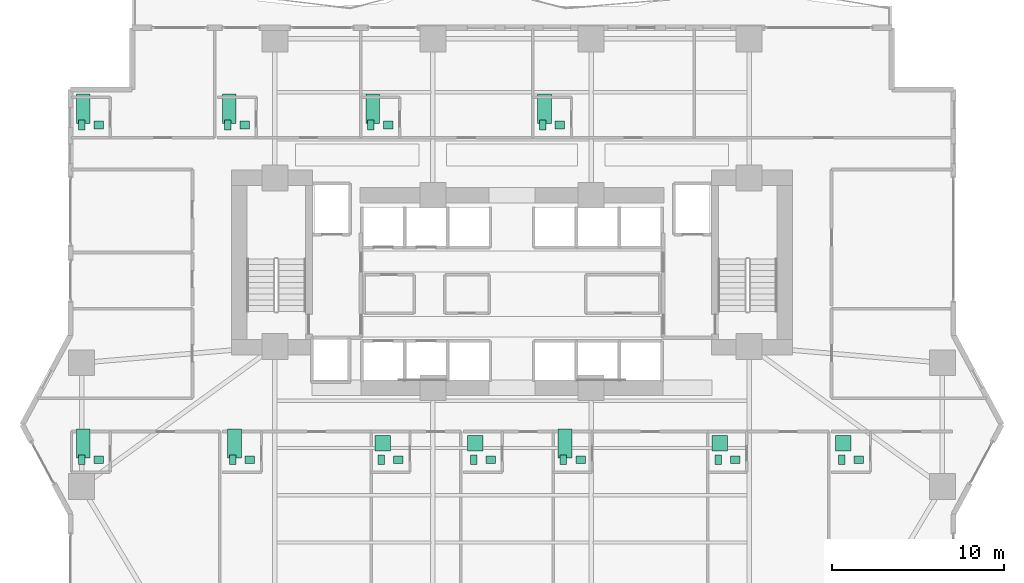
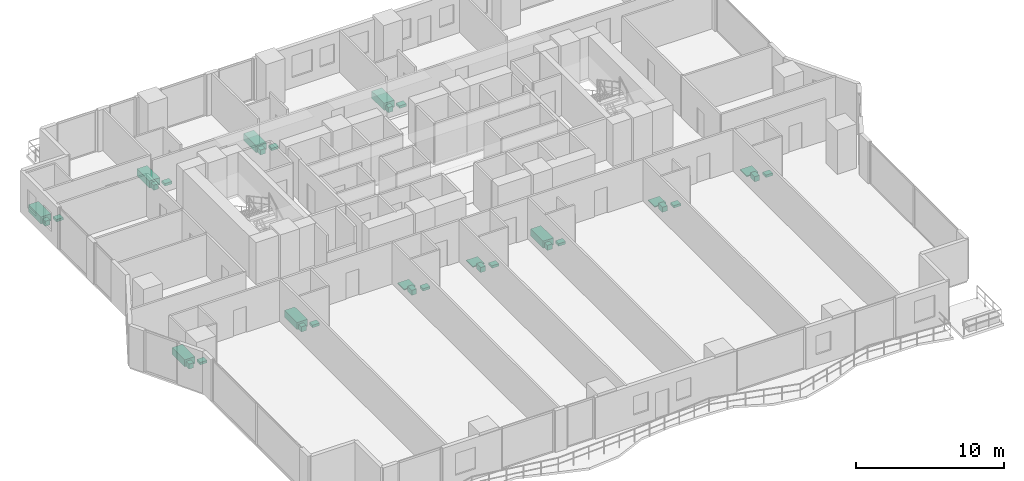
# One storey, part 29 of 29: 33 sanitary terminals.
"""IFC4 building model written with IfcOpenShell, lengths in metres."""

from ifc_helpers import new_model, si_unit, direction, frame, origin, origin_2d, place, context, subcontext, project, spatial, rectangle, extrude, material, type_object, element, save


model = new_model("IFC4")

# Units and contexts
model_context = context("Model", 3, precision=1e-05, world=origin(), true_north=direction((0.0, 1.0)))
body_context = subcontext(model_context, "Body", "Model", "MODEL_VIEW")
ifc_project = project(units=[si_unit("LENGTHUNIT", "METRE"), si_unit("AREAUNIT", "SQUARE_METRE"), si_unit("VOLUMEUNIT", "CUBIC_METRE"), si_unit("PLANEANGLEUNIT", "RADIAN"), si_unit("MASSUNIT", "GRAM", prefix="KILO")], contexts=[model_context])

# Site, building, storey
site_placement = place(None, origin())
site = spatial("IfcSite", under=ifc_project, at=site_placement, CompositionType="ELEMENT")
building_placement = place(site_placement, origin())
building = spatial("IfcBuilding", under=site, at=building_placement, Name="Zuhayl Quay Hotel", CompositionType="ELEMENT")
storey_placement = place(building_placement, frame((0.0, 0.0, 42.199951171875)))
storey = spatial("IfcBuildingStorey", under=building, at=storey_placement, Name="L09", CompositionType="ELEMENT", Elevation=42.199951171875)

# Sanitary terminals
ifc_material = material(Name="Vitreous Porcelain Sanitaryware")
sanitary_terminal_type_1 = type_object("IfcSanitaryTerminalType", Name="SAN_BASIN", PredefinedType="WASHHANDBASIN", material=ifc_material)
for number, where, z_axis, x_axis, name in (
    (1, (-24.050048828125, 17.43994140625, 0.0), (0.0, 0.0, 1.0), (1.0, 0.0, 0.0), "L09 Sanitary Fixture WASHHANDBASIN"),
    (2, (-15.550048828125, 17.43994140625, 0.0), (0.0, 0.0, 1.0), (1.0, 0.0, 0.0), "L09 Sanitary Fixture WASHHANDBASIN"),
    (3, (-7.2099609375, 17.43994140625, 0.0), (0.0, 0.0, 1.0), (1.0, 0.0, 0.0), "L09 Sanitary Fixture WASHHANDBASIN"),
    (4, (2.7900390625, 17.43994140625, 0.0), (0.0, 0.0, 1.0), (1.0, 0.0, 0.0), "L09 Sanitary Fixture WASHHANDBASIN"),
    (5, (-24.050048828125, -2.0400390625, 0.0), (0.0, 0.0, 1.0), (1.0, 0.0, 0.0), "L09 Sanitary Fixture WASHHANDBASIN"),
    (6, (-15.25, -2.0400390625, 0.0), (0.0, 0.0, 1.0), (1.0, 0.0, 0.0), "L09 Sanitary Fixture WASHHANDBASIN"),
    (7, (-6.610107421875, -2.0400390625, 0.0), (0.0, 0.0, 1.0), (1.0, 0.0, 0.0), "L09 Sanitary Fixture WASHHANDBASIN"),
    (8, (-1.22998046875, -2.0400390625, 0.0), (0.0, 0.0, 1.0), (1.0, 0.0, 0.0), "L09 Sanitary Fixture WASHHANDBASIN"),
    (9, (3.989990234375, -2.0400390625, 0.0), (0.0, 0.0, 1.0), (1.0, 0.0, 0.0), "L09 Sanitary Fixture WASHHANDBASIN"),
    (10, (12.989990234375, -2.0400390625, 0.0), (0.0, 0.0, 1.0), (1.0, 0.0, 0.0), "L09 Sanitary Fixture WASHHANDBASIN"),
    (11, (20.18994140625, -2.0400390625, 0.0), (0.0, 0.0, 1.0), (1.0, 0.0, 0.0), "L09 Sanitary Fixture WASHHANDBASIN"),
):
    element("IfcSanitaryTerminal", number, at=place(storey_placement, frame(where, z_axis=z_axis, x_axis=x_axis)), inside=storey, type_object=sanitary_terminal_type_1, Name=name, PredefinedType="WASHHANDBASIN", context=body_context, shape_type="SweptSolid", body=[
        extrude(rectangle(XDim=0.550048828125, YDim=0.449951171875, at=origin_2d()), origin(), (0.0, 0.0, 1.0), 0.199951171875),
    ])
sanitary_terminal_type_2 = type_object("IfcSanitaryTerminalType", Name="SAN_BATH", PredefinedType="BATH", material=ifc_material)
for number, where, z_axis, x_axis, name in (
    (12, (-24.949951171875, 18.389892578125, 0.0), (0.0, 0.0, 1.0), (1.0, 0.0, 0.0), "L09 Sanitary Fixture BATH"),
    (13, (-16.449951171875, 18.389892578125, 0.0), (0.0, 0.0, 1.0), (1.0, 0.0, 0.0), "L09 Sanitary Fixture BATH"),
    (14, (-8.110107421875, 18.389892578125, 0.0), (0.0, 0.0, 1.0), (1.0, 0.0, 0.0), "L09 Sanitary Fixture BATH"),
    (15, (1.889892578125, 18.389892578125, 0.0), (0.0, 0.0, 1.0), (1.0, 0.0, 0.0), "L09 Sanitary Fixture BATH"),
    (16, (-24.949951171875, -1.090087890625, 0.0), (0.0, 0.0, 1.0), (1.0, 0.0, 0.0), "L09 Sanitary Fixture BATH"),
    (17, (-16.14990234375, -1.090087890625, 0.0), (0.0, 0.0, 1.0), (1.0, 0.0, 0.0), "L09 Sanitary Fixture BATH"),
    (18, (3.090087890625, -1.090087890625, 0.0), (0.0, 0.0, 1.0), (1.0, 0.0, 0.0), "L09 Sanitary Fixture BATH"),
):
    element("IfcSanitaryTerminal", number, at=place(storey_placement, frame(where, z_axis=z_axis, x_axis=x_axis)), inside=storey, type_object=sanitary_terminal_type_2, Name=name, PredefinedType="BATH", context=body_context, shape_type="SweptSolid", body=[
        extrude(rectangle(XDim=0.800048828125, YDim=1.699951171875, at=origin_2d()), origin(), (0.0, 0.0, 1.0), 0.580078125),
    ])
sanitary_terminal_type_3 = type_object("IfcSanitaryTerminalType", Name="SAN_SHOWER", PredefinedType="SHOWER", material=ifc_material)
for number, where, z_axis, x_axis, name in (
    (19, (-7.510009765625, -1.090087890625, 0.0), (0.0, 0.0, 1.0), (1.0, 0.0, 0.0), "L09 Sanitary Fixture SHOWER"),
    (20, (-2.1298828125, -1.090087890625, 0.0), (0.0, 0.0, 1.0), (1.0, 0.0, 0.0), "L09 Sanitary Fixture SHOWER"),
    (21, (12.090087890625, -1.090087890625, 0.0), (0.0, 0.0, 1.0), (1.0, 0.0, 0.0), "L09 Sanitary Fixture SHOWER"),
    (22, (19.2900390625, -1.090087890625, 0.0), (0.0, 0.0, 1.0), (1.0, 0.0, 0.0), "L09 Sanitary Fixture SHOWER"),
):
    element("IfcSanitaryTerminal", number, at=place(storey_placement, frame(where, z_axis=z_axis, x_axis=x_axis)), inside=storey, type_object=sanitary_terminal_type_3, Name=name, PredefinedType="SHOWER", context=body_context, shape_type="SweptSolid", body=[
        extrude(rectangle(XDim=0.89990234375, YDim=0.89990234375, at=origin_2d()), origin(), (0.0, 0.0, 1.0), 0.080078125),
    ])
sanitary_terminal_type_4 = type_object("IfcSanitaryTerminalType", Name="SAN_WC", PredefinedType="TOILETPAN", material=ifc_material)
for number, where, z_axis, x_axis, name in (
    (23, (-25.050048828125, 17.43994140625, 0.0), (0.0, 0.0, 1.0), (1.0, 0.0, 0.0), "L09 Sanitary Fixture TOILETPAN"),
    (24, (-16.550048828125, 17.43994140625, 0.0), (0.0, 0.0, 1.0), (1.0, 0.0, 0.0), "L09 Sanitary Fixture TOILETPAN"),
    (25, (-8.2099609375, 17.43994140625, 0.0), (0.0, 0.0, 1.0), (1.0, 0.0, 0.0), "L09 Sanitary Fixture TOILETPAN"),
    (26, (1.7900390625, 17.43994140625, 0.0), (0.0, 0.0, 1.0), (1.0, 0.0, 0.0), "L09 Sanitary Fixture TOILETPAN"),
    (27, (-25.050048828125, -2.0400390625, 0.0), (0.0, 0.0, 1.0), (1.0, 0.0, 0.0), "L09 Sanitary Fixture TOILETPAN"),
    (28, (-16.25, -2.0400390625, 0.0), (0.0, 0.0, 1.0), (1.0, 0.0, 0.0), "L09 Sanitary Fixture TOILETPAN"),
    (29, (-7.610107421875, -2.0400390625, 0.0), (0.0, 0.0, 1.0), (1.0, 0.0, 0.0), "L09 Sanitary Fixture TOILETPAN"),
    (30, (-2.22998046875, -2.0400390625, 0.0), (0.0, 0.0, 1.0), (1.0, 0.0, 0.0), "L09 Sanitary Fixture TOILETPAN"),
    (31, (2.989990234375, -2.0400390625, 0.0), (0.0, 0.0, 1.0), (1.0, 0.0, 0.0), "L09 Sanitary Fixture TOILETPAN"),
    (32, (11.989990234375, -2.0400390625, 0.0), (0.0, 0.0, 1.0), (1.0, 0.0, 0.0), "L09 Sanitary Fixture TOILETPAN"),
    (33, (19.18994140625, -2.0400390625, 0.0), (0.0, 0.0, 1.0), (1.0, 0.0, 0.0), "L09 Sanitary Fixture TOILETPAN"),
):
    element("IfcSanitaryTerminal", number, at=place(storey_placement, frame(where, z_axis=z_axis, x_axis=x_axis)), inside=storey, type_object=sanitary_terminal_type_4, Name=name, PredefinedType="TOILETPAN", context=body_context, shape_type="SweptSolid", body=[
        extrude(rectangle(XDim=0.3798828125, YDim=0.56005859375, at=origin_2d()), origin(), (0.0, 0.0, 1.0), 0.419921875),
    ])

save(model, "model.ifc")
